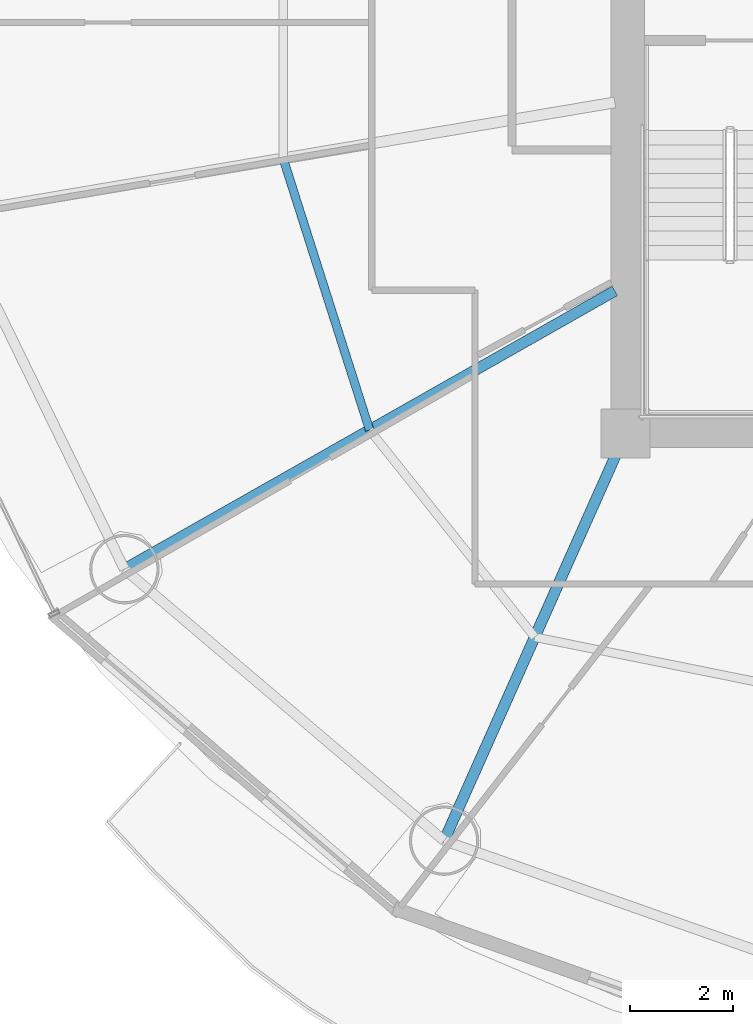
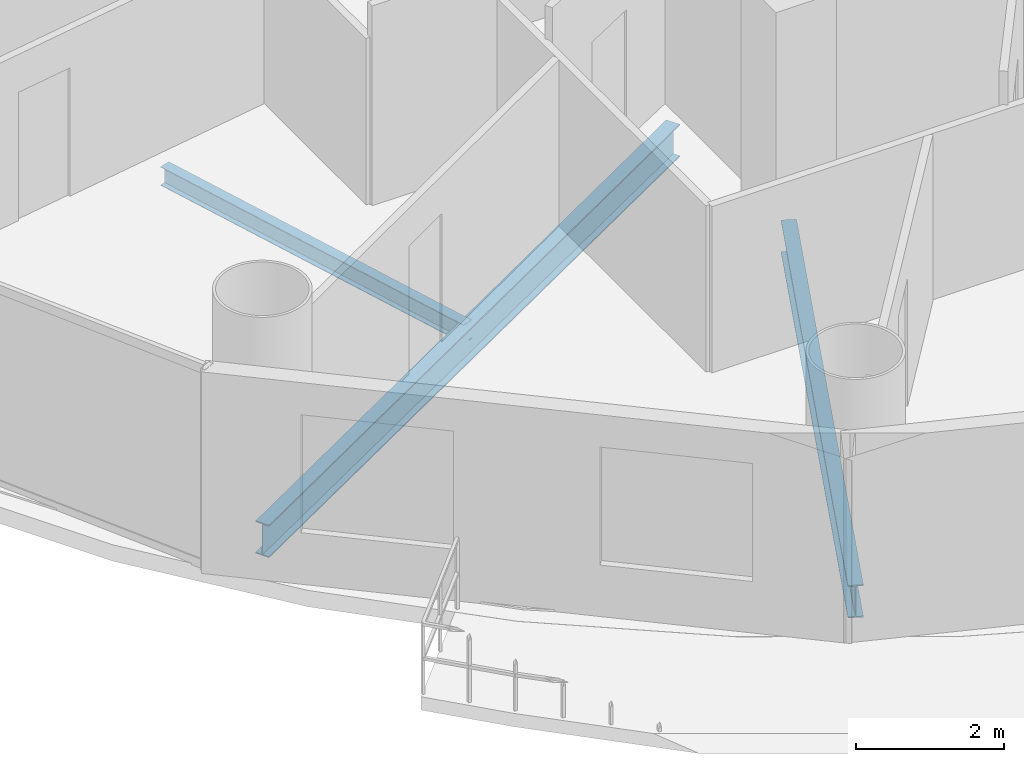
# One storey, part 3 of 26: 3 beams.
"""IFC4 building model written with IfcOpenShell, lengths in metres."""

from ifc_helpers import new_model, si_unit, direction, frame, origin, origin_2d, place, context, subcontext, project, spatial, i_section, extrude, material, material_profile, profile_set, type_object, element, save


model = new_model("IFC4")

# Units and contexts
model_context = context("Model", 3, precision=1e-05, world=origin(), true_north=direction((-0.2419218956, 0.970295726276)))
body_context = subcontext(model_context, "Body", "Model", "MODEL_VIEW")
ifc_project = project(units=[si_unit("LENGTHUNIT", "METRE"), si_unit("AREAUNIT", "SQUARE_METRE"), si_unit("VOLUMEUNIT", "CUBIC_METRE"), si_unit("PLANEANGLEUNIT", "RADIAN"), si_unit("MASSUNIT", "GRAM", prefix="KILO")], contexts=[model_context])

# Site, building, storey
site_placement = place(None, origin())
site = spatial("IfcSite", under=ifc_project, at=site_placement, CompositionType="ELEMENT")
building_placement = place(site_placement, origin())
building = spatial("IfcBuilding", under=site, at=building_placement, Name="Cobrevalo Terracotta Tower", CompositionType="ELEMENT")
storey_placement = place(building_placement, frame((0.0, 0.0, 171.39990234375)))
storey = spatial("IfcBuildingStorey", under=building, at=storey_placement, Name="L45", CompositionType="ELEMENT", Elevation=171.39990234375)

# Beams
ifc_material = material(Name="Steel S355", Category="steel")
ifc_material_profile_1 = material_profile(ifc_material, i_section(OverallWidth=0.2109375, OverallDepth=0.5390625, WebThickness=0.01171875, FlangeThickness=0.018798828125, at=origin_2d()), Name="W 530x109")
ifc_profile_set_1 = profile_set([ifc_material_profile_1], Name="Steel S355")
beam_type_1 = type_object("IfcBeamType", Name="Structural Beam W 530x109 (Steel S355)", PredefinedType="BEAM", material=ifc_profile_set_1)
beam_1_placement = place(storey_placement, frame((19.250244140625, 16.160888671875, -0.539306640625), z_axis=(0.869743726706, 0.493503647257, 0.0), x_axis=(-0.493503647257, 0.869743726706, 0.0)))
element("IfcBeam", 1, at=beam_1_placement, inside=storey, type_object=beam_type_1, Name="L45 radial floor girder 10", PredefinedType="BEAM", context=body_context, shape_type="SweptSolid", body=[
    extrude(i_section(OverallWidth=0.2109375, OverallDepth=0.5390625, WebThickness=0.01171875, FlangeThickness=0.018798828125, at=origin_2d()), origin(), (0.0, 0.0, 1.0), 10.97412109375),
])
beam_2_placement = place(storey_placement, frame((25.471923828125, 10.87744140625, -0.539306640625), z_axis=(0.406804395691, 0.913515289224, 0.0), x_axis=(-0.913515289224, 0.406804395691, 0.0)))
element("IfcBeam", 2, at=beam_2_placement, inside=storey, type_object=beam_type_1, Name="L45 radial floor girder 11", PredefinedType="BEAM", context=body_context, shape_type="SweptSolid", body=[
    extrude(i_section(OverallWidth=0.2109375, OverallDepth=0.5390625, WebThickness=0.01171875, FlangeThickness=0.018798828125, at=origin_2d()), origin(), (0.0, 0.0, 1.0), 8.672607421875),
])
ifc_material_profile_2 = material_profile(ifc_material, i_section(OverallWidth=0.1650390625, OverallDepth=0.31005859375, WebThickness=0.005859375, FlangeThickness=0.009765625, at=origin_2d()), Name="W 310x38.7")
ifc_profile_set_2 = profile_set([ifc_material_profile_2], Name="Steel S355")
beam_type_2 = type_object("IfcBeamType", Name="Structural Joist W 310x38.7 (Steel S355)", PredefinedType="JOIST", material=ifc_profile_set_2)
beam_3_placement = place(storey_placement, frame((22.339111328125, 24.154541015625, -0.4248046875), z_axis=(0.303497928386, -0.952832098255, 0.0), x_axis=(0.952832098255, 0.303497928386, 0.0)))
element("IfcBeam", 3, at=beam_3_placement, inside=storey, type_object=beam_type_2, Name="L45 circumferential secondary floor joist 09", PredefinedType="JOIST", context=body_context, shape_type="SweptSolid", body=[
    extrude(i_section(OverallWidth=0.1650390625, OverallDepth=0.31005859375, WebThickness=0.005859375, FlangeThickness=0.009765625, at=origin_2d()), origin(), (0.0, 0.0, 1.0), 5.54736328125),
])

save(model, "model.ifc")
